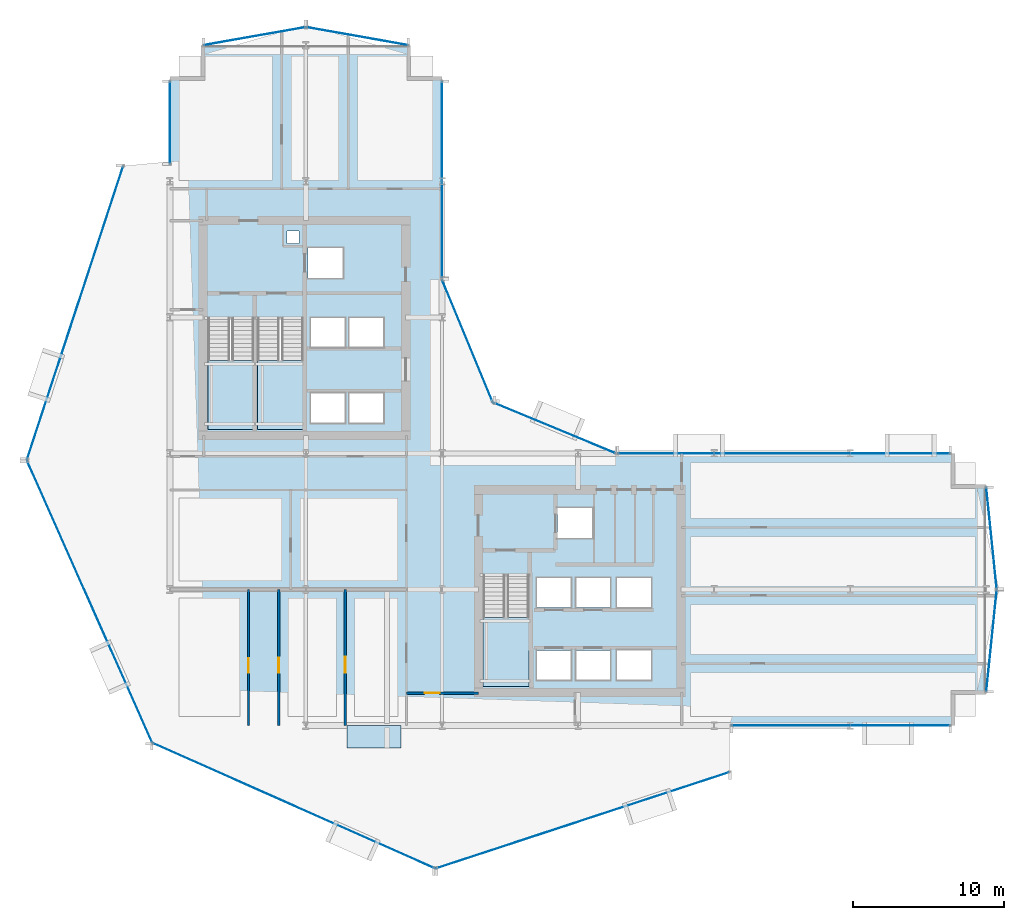
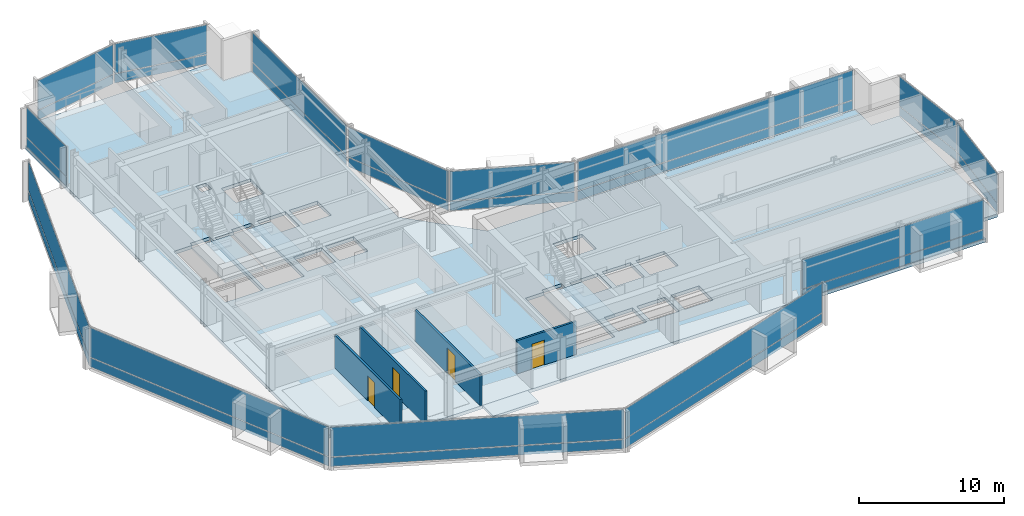
# One storey, part 26 of 34: 28 plates, 5 slabs, 4 doors, 4 walls, 4 openings, 17 elements without a shape of their own.
"""IFC4 building model written with IfcOpenShell, lengths in metres."""

from ifc_helpers import new_model, si_unit, direction, frame, frame_2d, origin, origin_2d, place, context, subcontext, project, spatial, polyline, rectangle, outline, extrude, material, layer, layer_set, type_object, element, fill, aggregate, save


model = new_model("IFC4")

# Units and contexts
model_context = context("Model", 3, precision=1e-05, world=origin(), true_north=direction((0.0, 1.0)))
body_context = subcontext(model_context, "Body", "Model", "MODEL_VIEW")
ifc_project = project(units=[si_unit("LENGTHUNIT", "METRE"), si_unit("AREAUNIT", "SQUARE_METRE"), si_unit("VOLUMEUNIT", "CUBIC_METRE"), si_unit("PLANEANGLEUNIT", "RADIAN"), si_unit("MASSUNIT", "GRAM", prefix="KILO")], contexts=[model_context])

# Site, building, storey
site_placement = place(None, origin())
site = spatial("IfcSite", under=ifc_project, at=site_placement, CompositionType="ELEMENT")
building_placement = place(site_placement, origin())
building = spatial("IfcBuilding", under=site, at=building_placement, Name="Solvaryn Broadcast Tower", CompositionType="ELEMENT")
storey_placement = place(building_placement, frame((0.0, 0.0, 54.5)))
storey = spatial("IfcBuildingStorey", under=building, at=storey_placement, Name="L12", CompositionType="ELEMENT", Elevation=54.5)

# Curtain wall, plates
ifc_material_1 = material(Name="Aluminium and Terracotta Unitised Curtain Wall", Category="masonry")
ifc_layer_1 = layer(ifc_material_1, 0.199951171875)
ifc_layer_set_1 = layer_set([ifc_layer_1], Name="CW-SYS2-LOWMID")
curtain_wall_type = type_object("IfcCurtainWallType", Name="CW-SYS2-LOWMID", PredefinedType="NOTDEFINED", material=ifc_layer_set_1)
curtain_wall_1_placement = place(storey_placement, origin())
curtain_wall_1 = element("IfcCurtainWall", 1, at=curtain_wall_1_placement, inside=storey, type_object=curtain_wall_type, Name="L12 Curtain Wall DR1", PredefinedType="NOTDEFINED")
ifc_material_2 = material(Name="Kiln-Fired Architectural Terracotta Spandrel", Category="masonry")
ifc_layer_2 = layer(ifc_material_2, 0.048095703125)
ifc_layer_set_2 = layer_set([ifc_layer_2], Name="CW-PNL-TERRACOTTA")
plate_type = type_object("IfcPlateType", Name="CW-PNL-TERRACOTTA", PredefinedType="CURTAIN_PANEL", material=ifc_layer_set_2)
plate_1_placement = place(storey_placement, frame((2.72607421875, 36.2880859375, 0.06005859375), z_axis=(0.0, 0.0, 1.0), x_axis=(-0.311594044587, -0.950215318429, 0.0)))
plate_1 = element("IfcPlate", 2, at=plate_1_placement, type_object=plate_type, Name="CWS2 panel 1.1", PredefinedType="CURTAIN_PANEL", context=body_context, shape_type="SweptSolid", body=[
    extrude(rectangle(XDim=20.35546875, YDim=0.028076171875, at=origin_2d()), origin(), (0.0, 0.0, 1.0), 0.760009765625),
])
plate_2_placement = place(storey_placement, frame((2.72607421875, 36.2880859375, 0.880126953125), z_axis=(0.0, 0.0, 1.0), x_axis=(-0.311594044587, -0.950215318429, 0.0)))
plate_2 = element("IfcPlate", 3, at=plate_2_placement, type_object=plate_type, Name="CWS2 panel 1.2", PredefinedType="CURTAIN_PANEL", context=body_context, shape_type="SweptSolid", body=[
    extrude(rectangle(XDim=20.35546875, YDim=0.028076171875, at=origin_2d()), origin(), (0.0, 0.0, 1.0), 2.47998046875),
])
aggregate(curtain_wall_1, [plate_1, plate_2])

curtain_wall_2_placement = place(storey_placement, origin())
curtain_wall_2 = element("IfcCurtainWall", 4, at=curtain_wall_2_placement, inside=storey, type_object=curtain_wall_type, Name="L12 Curtain Wall DR2", PredefinedType="NOTDEFINED")
plate_3_placement = place(storey_placement, frame((3.69140625, 17.20361328125, 0.06005859375), z_axis=(0.0, 0.0, 1.0), x_axis=(0.405898286554, -0.913918257271, 0.0)))
plate_3 = element("IfcPlate", 5, at=plate_3_placement, type_object=plate_type, Name="CWS2 panel 1.1", PredefinedType="CURTAIN_PANEL", context=body_context, shape_type="SweptSolid", body=[
    extrude(rectangle(XDim=20.35546875, YDim=0.028076171875, at=origin_2d()), origin(), (0.0, 0.0, 1.0), 0.760009765625),
])
plate_4_placement = place(storey_placement, frame((3.69140625, 17.20361328125, 0.880126953125), z_axis=(0.0, 0.0, 1.0), x_axis=(0.405898286554, -0.913918257271, 0.0)))
plate_4 = element("IfcPlate", 6, at=plate_4_placement, type_object=plate_type, Name="CWS2 panel 1.2", PredefinedType="CURTAIN_PANEL", context=body_context, shape_type="SweptSolid", body=[
    extrude(rectangle(XDim=20.35546875, YDim=0.028076171875, at=origin_2d()), origin(), (0.0, 0.0, 1.0), 2.47998046875),
])
aggregate(curtain_wall_2, [plate_3, plate_4])

curtain_wall_3_placement = place(storey_placement, origin())
curtain_wall_3 = element("IfcCurtainWall", 7, at=curtain_wall_3_placement, inside=storey, type_object=curtain_wall_type, Name="L12 Curtain Wall DR3", PredefinedType="NOTDEFINED")
plate_5_placement = place(storey_placement, frame((17.20361328125, 3.69140625, 0.06005859375), z_axis=(0.0, 0.0, 1.0), x_axis=(0.913918257271, -0.405898286554, 0.0)))
plate_5 = element("IfcPlate", 8, at=plate_5_placement, type_object=plate_type, Name="CWS2 panel 1.1", PredefinedType="CURTAIN_PANEL", context=body_context, shape_type="SweptSolid", body=[
    extrude(rectangle(XDim=20.35546875, YDim=0.028076171875, at=origin_2d()), origin(), (0.0, 0.0, 1.0), 0.760009765625),
])
plate_6_placement = place(storey_placement, frame((17.20361328125, 3.69140625, 0.880126953125), z_axis=(0.0, 0.0, 1.0), x_axis=(0.913918257271, -0.405898286554, 0.0)))
plate_6 = element("IfcPlate", 9, at=plate_6_placement, type_object=plate_type, Name="CWS2 panel 1.2", PredefinedType="CURTAIN_PANEL", context=body_context, shape_type="SweptSolid", body=[
    extrude(rectangle(XDim=20.35546875, YDim=0.028076171875, at=origin_2d()), origin(), (0.0, 0.0, 1.0), 2.47998046875),
])
aggregate(curtain_wall_3, [plate_5, plate_6])

curtain_wall_4_placement = place(storey_placement, origin())
curtain_wall_4 = element("IfcCurtainWall", 10, at=curtain_wall_4_placement, inside=storey, type_object=curtain_wall_type, Name="L12 Curtain Wall DR4", PredefinedType="NOTDEFINED")
plate_7_placement = place(storey_placement, frame((36.2880859375, 2.72607421875, 0.06005859375), z_axis=(0.0, 0.0, 1.0), x_axis=(0.950215318429, 0.311594044587, 0.0)))
plate_7 = element("IfcPlate", 11, at=plate_7_placement, type_object=plate_type, Name="CWS2 panel 1.1", PredefinedType="CURTAIN_PANEL", context=body_context, shape_type="SweptSolid", body=[
    extrude(rectangle(XDim=20.35546875, YDim=0.028076171875, at=origin_2d()), origin(), (0.0, 0.0, 1.0), 0.760009765625),
])
plate_8_placement = place(storey_placement, frame((36.2880859375, 2.72607421875, 0.880126953125), z_axis=(0.0, 0.0, 1.0), x_axis=(0.950215318429, 0.311594044587, 0.0)))
plate_8 = element("IfcPlate", 12, at=plate_8_placement, type_object=plate_type, Name="CWS2 panel 1.2", PredefinedType="CURTAIN_PANEL", context=body_context, shape_type="SweptSolid", body=[
    extrude(rectangle(XDim=20.35546875, YDim=0.028076171875, at=origin_2d()), origin(), (0.0, 0.0, 1.0), 2.47998046875),
])
aggregate(curtain_wall_4, [plate_7, plate_8])

curtain_wall_5_placement = place(storey_placement, origin())
curtain_wall_5 = element("IfcCurtainWall", 13, at=curtain_wall_5_placement, inside=storey, type_object=curtain_wall_type, Name="L12 Curtain Wall W2", PredefinedType="NOTDEFINED")
plate_9_placement = place(storey_placement, frame((9.0, 48.883056640625, 0.06005859375), z_axis=(0.0, 0.0, 1.0), x_axis=(0.0, 1.0, 0.0)))
plate_9 = element("IfcPlate", 14, at=plate_9_placement, type_object=plate_type, Name="CWS2 panel 1.1", PredefinedType="CURTAIN_PANEL", context=body_context, shape_type="SweptSolid", body=[
    extrude(rectangle(XDim=5.4140625, YDim=0.028076171875, at=origin_2d()), origin(), (0.0, 0.0, 1.0), 0.760009765625),
])
plate_10_placement = place(storey_placement, frame((9.0, 48.883056640625, 0.880126953125), z_axis=(0.0, 0.0, 1.0), x_axis=(0.0, 1.0, 0.0)))
plate_10 = element("IfcPlate", 15, at=plate_10_placement, type_object=plate_type, Name="CWS2 panel 1.2", PredefinedType="CURTAIN_PANEL", context=body_context, shape_type="SweptSolid", body=[
    extrude(rectangle(XDim=5.4140625, YDim=0.028076171875, at=origin_2d()), origin(), (0.0, 0.0, 1.0), 2.47998046875),
])
aggregate(curtain_wall_5, [plate_9, plate_10])

curtain_wall_6_placement = place(storey_placement, origin())
curtain_wall_6 = element("IfcCurtainWall", 16, at=curtain_wall_6_placement, inside=storey, type_object=curtain_wall_type, Name="L12 Curtain Wall IV", PredefinedType="NOTDEFINED")
plate_11_placement = place(storey_placement, frame((27.0, 45.125, 0.06005859375), z_axis=(0.0, 0.0, 1.0), x_axis=(0.0, -1.0, 0.0)))
plate_11 = element("IfcPlate", 17, at=plate_11_placement, type_object=plate_type, Name="CWS2 panel 1.1", PredefinedType="CURTAIN_PANEL", context=body_context, shape_type="SweptSolid", body=[
    extrude(rectangle(XDim=12.929931640625, YDim=0.028076171875, at=origin_2d()), origin(), (0.0, 0.0, 1.0), 0.760009765625),
])
plate_12_placement = place(storey_placement, frame((27.0, 45.125, 0.880126953125), z_axis=(0.0, 0.0, 1.0), x_axis=(0.0, -1.0, 0.0)))
plate_12 = element("IfcPlate", 18, at=plate_12_placement, type_object=plate_type, Name="CWS2 panel 1.2", PredefinedType="CURTAIN_PANEL", context=body_context, shape_type="SweptSolid", body=[
    extrude(rectangle(XDim=12.929931640625, YDim=0.028076171875, at=origin_2d()), origin(), (0.0, 0.0, 1.0), 2.47998046875),
])
aggregate(curtain_wall_6, [plate_11, plate_12])

curtain_wall_7_placement = place(storey_placement, origin())
curtain_wall_7 = element("IfcCurtainWall", 19, at=curtain_wall_7_placement, inside=storey, type_object=curtain_wall_type, Name="L12 Curtain Wall CN1", PredefinedType="NOTDEFINED")
plate_13_placement = place(storey_placement, frame((34.43408203125, 28.68408203125, 0.06005859375), z_axis=(0.0, 0.0, 1.0), x_axis=(-0.923894983957, 0.382646127145, 0.0)))
plate_13 = element("IfcPlate", 20, at=plate_13_placement, type_object=plate_type, Name="CWS2 panel 1.1", PredefinedType="CURTAIN_PANEL", context=body_context, shape_type="SweptSolid", body=[
    extrude(rectangle(XDim=8.681884765625, YDim=0.028076171875, at=origin_2d()), origin(), (0.0, 0.0, 1.0), 0.760009765625),
])
plate_14_placement = place(storey_placement, frame((34.43408203125, 28.68408203125, 0.880126953125), z_axis=(0.0, 0.0, 1.0), x_axis=(-0.923894983957, 0.382646127145, 0.0)))
plate_14 = element("IfcPlate", 21, at=plate_14_placement, type_object=plate_type, Name="CWS2 panel 1.2", PredefinedType="CURTAIN_PANEL", context=body_context, shape_type="SweptSolid", body=[
    extrude(rectangle(XDim=8.681884765625, YDim=0.028076171875, at=origin_2d()), origin(), (0.0, 0.0, 1.0), 2.47998046875),
])
aggregate(curtain_wall_7, [plate_13, plate_14])

curtain_wall_8_placement = place(storey_placement, origin())
curtain_wall_8 = element("IfcCurtainWall", 22, at=curtain_wall_8_placement, inside=storey, type_object=curtain_wall_type, Name="L12 Curtain Wall CN2", PredefinedType="NOTDEFINED")
plate_15_placement = place(storey_placement, frame((28.68408203125, 34.43408203125, 0.06005859375), z_axis=(0.0, 0.0, 1.0), x_axis=(-0.382646127145, 0.923894983957, 0.0)))
plate_15 = element("IfcPlate", 23, at=plate_15_placement, type_object=plate_type, Name="CWS2 panel 1.1", PredefinedType="CURTAIN_PANEL", context=body_context, shape_type="SweptSolid", body=[
    extrude(rectangle(XDim=8.681884765625, YDim=0.028076171875, at=origin_2d()), origin(), (0.0, 0.0, 1.0), 0.760009765625),
])
plate_16_placement = place(storey_placement, frame((28.68408203125, 34.43408203125, 0.880126953125), z_axis=(0.0, 0.0, 1.0), x_axis=(-0.382646127145, 0.923894983957, 0.0)))
plate_16 = element("IfcPlate", 24, at=plate_16_placement, type_object=plate_type, Name="CWS2 panel 1.2", PredefinedType="CURTAIN_PANEL", context=body_context, shape_type="SweptSolid", body=[
    extrude(rectangle(XDim=8.681884765625, YDim=0.028076171875, at=origin_2d()), origin(), (0.0, 0.0, 1.0), 2.47998046875),
])
aggregate(curtain_wall_8, [plate_15, plate_16])

curtain_wall_9_placement = place(storey_placement, origin())
curtain_wall_9 = element("IfcCurtainWall", 25, at=curtain_wall_9_placement, inside=storey, type_object=curtain_wall_type, Name="L12 Curtain Wall S2", PredefinedType="NOTDEFINED")
plate_17_placement = place(storey_placement, frame((53.383056640625, 9.0, 0.06005859375), z_axis=(0.0, 0.0, 1.0), x_axis=(1.0, 0.0, 0.0)))
plate_17 = element("IfcPlate", 26, at=plate_17_placement, type_object=plate_type, Name="CWS2 panel 1.1", PredefinedType="CURTAIN_PANEL", context=body_context, shape_type="SweptSolid", body=[
    extrude(rectangle(XDim=14.4140625, YDim=0.028076171875, at=origin_2d()), origin(), (0.0, 0.0, 1.0), 0.760009765625),
])
plate_18_placement = place(storey_placement, frame((53.383056640625, 9.0, 0.880126953125), z_axis=(0.0, 0.0, 1.0), x_axis=(1.0, 0.0, 0.0)))
plate_18 = element("IfcPlate", 27, at=plate_18_placement, type_object=plate_type, Name="CWS2 panel 1.2", PredefinedType="CURTAIN_PANEL", context=body_context, shape_type="SweptSolid", body=[
    extrude(rectangle(XDim=14.4140625, YDim=0.028076171875, at=origin_2d()), origin(), (0.0, 0.0, 1.0), 2.47998046875),
])
aggregate(curtain_wall_9, [plate_17, plate_18])

curtain_wall_10_placement = place(storey_placement, origin())
curtain_wall_10 = element("IfcCurtainWall", 28, at=curtain_wall_10_placement, inside=storey, type_object=curtain_wall_type, Name="L12 Curtain Wall NT1", PredefinedType="NOTDEFINED")
plate_19_placement = place(storey_placement, frame((21.39990234375, 54.60009765625, 0.06005859375), z_axis=(0.0, 0.0, 1.0), x_axis=(-0.984783558819, 0.173785333901, 0.0)))
plate_19 = element("IfcPlate", 29, at=plate_19_placement, type_object=plate_type, Name="CWS2 panel 1.1", PredefinedType="CURTAIN_PANEL", context=body_context, shape_type="SweptSolid", body=[
    extrude(rectangle(XDim=6.78515625, YDim=0.028076171875, at=origin_2d()), origin(), (0.0, 0.0, 1.0), 0.760009765625),
])
plate_20_placement = place(storey_placement, frame((21.39990234375, 54.60009765625, 0.880126953125), z_axis=(0.0, 0.0, 1.0), x_axis=(-0.984783558819, 0.173785333901, 0.0)))
plate_20 = element("IfcPlate", 30, at=plate_20_placement, type_object=plate_type, Name="CWS2 panel 1.2", PredefinedType="CURTAIN_PANEL", context=body_context, shape_type="SweptSolid", body=[
    extrude(rectangle(XDim=6.78515625, YDim=0.028076171875, at=origin_2d()), origin(), (0.0, 0.0, 1.0), 2.47998046875),
])
aggregate(curtain_wall_10, [plate_19, plate_20])

curtain_wall_11_placement = place(storey_placement, origin())
curtain_wall_11 = element("IfcCurtainWall", 31, at=curtain_wall_11_placement, inside=storey, type_object=curtain_wall_type, Name="L12 Curtain Wall NT2", PredefinedType="NOTDEFINED")
plate_21_placement = place(storey_placement, frame((14.60009765625, 54.60009765625, 0.06005859375), z_axis=(0.0, 0.0, 1.0), x_axis=(-0.984783558819, -0.173785333901, 0.0)))
plate_21 = element("IfcPlate", 32, at=plate_21_placement, type_object=plate_type, Name="CWS2 panel 1.1", PredefinedType="CURTAIN_PANEL", context=body_context, shape_type="SweptSolid", body=[
    extrude(rectangle(XDim=6.78515625, YDim=0.028076171875, at=origin_2d()), origin(), (0.0, 0.0, 1.0), 0.760009765625),
])
plate_22_placement = place(storey_placement, frame((14.60009765625, 54.60009765625, 0.880126953125), z_axis=(0.0, 0.0, 1.0), x_axis=(-0.984783558819, -0.173785333901, 0.0)))
plate_22 = element("IfcPlate", 33, at=plate_22_placement, type_object=plate_type, Name="CWS2 panel 1.2", PredefinedType="CURTAIN_PANEL", context=body_context, shape_type="SweptSolid", body=[
    extrude(rectangle(XDim=6.78515625, YDim=0.028076171875, at=origin_2d()), origin(), (0.0, 0.0, 1.0), 2.47998046875),
])
aggregate(curtain_wall_11, [plate_21, plate_22])

curtain_wall_12_placement = place(storey_placement, origin())
curtain_wall_12 = element("IfcCurtainWall", 34, at=curtain_wall_12_placement, inside=storey, type_object=curtain_wall_type, Name="L12 Curtain Wall ET1", PredefinedType="NOTDEFINED")
plate_23_placement = place(storey_placement, frame((63.35009765625, 21.39990234375, 0.06005859375), z_axis=(0.0, 0.0, 1.0), x_axis=(0.10240004548, -0.99474329889, 0.0)))
plate_23 = element("IfcPlate", 35, at=plate_23_placement, type_object=plate_type, Name="CWS2 panel 1.1", PredefinedType="CURTAIN_PANEL", context=body_context, shape_type="SweptSolid", body=[
    extrude(rectangle(XDim=6.7158203125, YDim=0.028076171875, at=origin_2d()), origin(), (0.0, 0.0, 1.0), 0.760009765625),
])
plate_24_placement = place(storey_placement, frame((63.35009765625, 21.39990234375, 0.880126953125), z_axis=(0.0, 0.0, 1.0), x_axis=(0.10240004548, -0.99474329889, 0.0)))
plate_24 = element("IfcPlate", 36, at=plate_24_placement, type_object=plate_type, Name="CWS2 panel 1.2", PredefinedType="CURTAIN_PANEL", context=body_context, shape_type="SweptSolid", body=[
    extrude(rectangle(XDim=6.7158203125, YDim=0.028076171875, at=origin_2d()), origin(), (0.0, 0.0, 1.0), 2.47998046875),
])
aggregate(curtain_wall_12, [plate_23, plate_24])

curtain_wall_13_placement = place(storey_placement, origin())
curtain_wall_13 = element("IfcCurtainWall", 37, at=curtain_wall_13_placement, inside=storey, type_object=curtain_wall_type, Name="L12 Curtain Wall ET2", PredefinedType="NOTDEFINED")
plate_25_placement = place(storey_placement, frame((63.35009765625, 14.60009765625, 0.06005859375), z_axis=(0.0, 0.0, 1.0), x_axis=(-0.10240004548, -0.99474329889, 0.0)))
plate_25 = element("IfcPlate", 38, at=plate_25_placement, type_object=plate_type, Name="CWS2 panel 1.1", PredefinedType="CURTAIN_PANEL", context=body_context, shape_type="SweptSolid", body=[
    extrude(rectangle(XDim=6.7158203125, YDim=0.028076171875, at=origin_2d()), origin(), (0.0, 0.0, 1.0), 0.760009765625),
])
plate_26_placement = place(storey_placement, frame((63.35009765625, 14.60009765625, 0.880126953125), z_axis=(0.0, 0.0, 1.0), x_axis=(-0.10240004548, -0.99474329889, 0.0)))
plate_26 = element("IfcPlate", 39, at=plate_26_placement, type_object=plate_type, Name="CWS2 panel 1.2", PredefinedType="CURTAIN_PANEL", context=body_context, shape_type="SweptSolid", body=[
    extrude(rectangle(XDim=6.7158203125, YDim=0.028076171875, at=origin_2d()), origin(), (0.0, 0.0, 1.0), 2.47998046875),
])
aggregate(curtain_wall_13, [plate_25, plate_26])

curtain_wall_14_placement = place(storey_placement, origin())
curtain_wall_14 = element("IfcCurtainWall", 40, at=curtain_wall_14_placement, inside=storey, type_object=curtain_wall_type, Name="L12 Curtain Wall IH", PredefinedType="NOTDEFINED")
plate_27_placement = place(storey_placement, frame((49.625, 27.0, 0.06005859375), z_axis=(0.0, 0.0, 1.0), x_axis=(1.0, 0.0, 0.0)))
plate_27 = element("IfcPlate", 41, at=plate_27_placement, type_object=plate_type, Name="CWS2 panel 1.1", PredefinedType="CURTAIN_PANEL", context=body_context, shape_type="SweptSolid", body=[
    extrude(rectangle(XDim=21.929931640625, YDim=0.028076171875, at=origin_2d()), origin(), (0.0, 0.0, 1.0), 0.760009765625),
])
plate_28_placement = place(storey_placement, frame((49.625, 27.0, 0.880126953125), z_axis=(0.0, 0.0, 1.0), x_axis=(1.0, 0.0, 0.0)))
plate_28 = element("IfcPlate", 42, at=plate_28_placement, type_object=plate_type, Name="CWS2 panel 1.2", PredefinedType="CURTAIN_PANEL", context=body_context, shape_type="SweptSolid", body=[
    extrude(rectangle(XDim=21.929931640625, YDim=0.028076171875, at=origin_2d()), origin(), (0.0, 0.0, 1.0), 2.47998046875),
])
aggregate(curtain_wall_14, [plate_27, plate_28])

# Slab
ifc_material_3 = material(Name="Concrete f'c 60 MPa", Category="concrete")
ifc_layer_3 = layer(ifc_material_3, 0.2099609375)
ifc_layer_set_3 = layer_set([ifc_layer_3], Name="SL-BAYBOX-210")
slab_type_1 = type_object("IfcSlabType", Name="SL-BAYBOX-210", PredefinedType="FLOOR", material=ifc_layer_set_3)
slab_1_placement = place(storey_placement, frame((0.0, 0.0, -0.2099609375)))
element("IfcSlab", 43, at=slab_1_placement, inside=storey, type_object=slab_type_1, Name="L12 Projecting Bay-Box Slab 1", PredefinedType="FLOOR", context=body_context, shape_type="SweptSolid", body=[
    extrude(outline(polyline([(20.699951171875, 7.5), (24.300048828125, 7.5), (24.300048828125, 9.0), (20.699951171875, 9.0), (20.699951171875, 7.5)])), origin(), (0.0, 0.0, 1.0), 0.2099609375),
])

# Stair, slab
ifc_material_4 = material(Name="Concrete f'c 60 MPa", Category="concrete")
stair_type = type_object("IfcStairType", Name="ST-CORE", PredefinedType="HALF_TURN_STAIR", material=ifc_material_4)
stair_1_placement = place(storey_placement, origin())
stair_1 = element("IfcStair", 44, at=stair_1_placement, inside=storey, type_object=stair_type, Name="L12 ST1", PredefinedType="HALF_TURN_STAIR")
ifc_material_5 = material(Name="Concrete f'c 60 MPa", Category="concrete")
ifc_layer_4 = layer(ifc_material_5, 0.199951171875)
ifc_layer_set_4 = layer_set([ifc_layer_4], Name="SL-LANDING-200")
slab_type_2 = type_object("IfcSlabType", Name="SL-LANDING-200", PredefinedType="LANDING", material=ifc_layer_set_4)
slab_2_placement = place(storey_placement, frame((0.0, 0.0, 1.64990234375)))
slab_2 = element("IfcSlab", 45, at=slab_2_placement, type_object=slab_type_2, Name="ST1 landing 1", PredefinedType="LANDING", context=body_context, shape_type="SweptSolid", body=[
    extrude(outline(polyline([(11.52001953125, 33.159912109375), (11.52001953125, 28.60009765625), (14.550048828125, 28.60009765625), (14.550048828125, 33.159912109375), (11.52001953125, 33.159912109375)])), origin(), (0.0, 0.0, 1.0), 0.2001953125),
])
aggregate(stair_1, [slab_2])

stair_2_placement = place(storey_placement, origin())
stair_2 = element("IfcStair", 46, at=stair_2_placement, inside=storey, type_object=stair_type, Name="L12 ST2", PredefinedType="HALF_TURN_STAIR")
slab_3_placement = place(storey_placement, frame((0.0, 0.0, 1.64990234375)))
slab_3 = element("IfcSlab", 47, at=slab_3_placement, type_object=slab_type_2, Name="ST2 landing 1", PredefinedType="LANDING", context=body_context, shape_type="SweptSolid", body=[
    extrude(outline(polyline([(14.800048828125, 33.159912109375), (14.800048828125, 28.60009765625), (17.830078125, 28.60009765625), (17.830078125, 33.159912109375), (14.800048828125, 33.159912109375)])), origin(), (0.0, 0.0, 1.0), 0.2001953125),
])
aggregate(stair_2, [slab_3])

stair_3_placement = place(storey_placement, origin())
stair_3 = element("IfcStair", 48, at=stair_3_placement, inside=storey, type_object=stair_type, Name="L12 ST3", PredefinedType="HALF_TURN_STAIR")
slab_4_placement = place(storey_placement, frame((0.0, 0.0, 1.64990234375)))
slab_4 = element("IfcSlab", 49, at=slab_4_placement, type_object=slab_type_2, Name="ST3 landing 1", PredefinedType="LANDING", context=body_context, shape_type="SweptSolid", body=[
    extrude(outline(polyline([(29.719970703125, 16.159912109375), (29.719970703125, 11.60009765625), (32.75, 11.60009765625), (32.75, 16.159912109375), (29.719970703125, 16.159912109375)])), origin(), (0.0, 0.0, 1.0), 0.2001953125),
])
aggregate(stair_3, [slab_4])

# Slab
ifc_material_6 = material(Name="Concrete f'c 60 MPa", Category="concrete")
ifc_layer_5 = layer(ifc_material_6, 0.280029296875)
ifc_layer_set_5 = layer_set([ifc_layer_5], Name="SL-TWR-280")
slab_type_3 = type_object("IfcSlabType", Name="SL-TWR-280", PredefinedType="FLOOR", material=ifc_layer_set_5)
slab_5_placement = place(storey_placement, frame((0.0, 0.0, -0.280029296875)))
element("IfcSlab", 50, at=slab_5_placement, inside=storey, type_object=slab_type_3, Name="L12 Structural Floor Slab", PredefinedType="FLOOR", context=body_context, shape_type="SweptSolid", body=[
    extrude(outline(polyline([(11.199951171875, 9.0), (60.800048828125, 9.0), (60.800048828125, 11.199951171875), (63.0, 11.199951171875), (63.0, 24.800048828125), (60.800048828125, 24.800048828125), (60.800048828125, 27.0), (31.5, 27.0), (27.0, 31.5), (27.0, 51.800048828125), (24.800048828125, 51.800048828125), (24.800048828125, 54.0), (11.199951171875, 54.0), (11.199951171875, 51.800048828125), (9.0, 51.800048828125), (9.0, 11.199951171875), (11.199951171875, 11.199951171875), (11.199951171875, 9.0)]), holes=[polyline([(11.52001953125, 28.60009765625), (14.550048828125, 28.60009765625), (14.550048828125, 35.9599609375), (12.97998046875, 35.9599609375), (12.97998046875, 35.679931640625), (11.52001953125, 35.679931640625), (11.52001953125, 28.60009765625)]), polyline([(14.800048828125, 28.60009765625), (17.830078125, 28.60009765625), (17.830078125, 35.9599609375), (16.260009765625, 35.9599609375), (16.260009765625, 35.679931640625), (14.800048828125, 35.679931640625), (14.800048828125, 28.60009765625)]), polyline([(29.719970703125, 11.60009765625), (32.75, 11.60009765625), (32.75, 18.9599609375), (31.179931640625, 18.9599609375), (31.179931640625, 18.679931640625), (29.719970703125, 18.679931640625), (29.719970703125, 11.60009765625)]), polyline([(18.14990234375, 38.60009765625), (20.449951171875, 38.60009765625), (20.449951171875, 40.60009765625), (18.14990234375, 40.60009765625), (18.14990234375, 38.60009765625)]), polyline([(18.324951171875, 29.02490234375), (20.574951171875, 29.02490234375), (20.574951171875, 30.97509765625), (18.324951171875, 30.97509765625), (18.324951171875, 29.02490234375)]), polyline([(20.875, 29.02490234375), (23.125, 29.02490234375), (23.125, 30.97509765625), (20.875, 30.97509765625), (20.875, 29.02490234375)]), polyline([(18.324951171875, 34.02490234375), (20.574951171875, 34.02490234375), (20.574951171875, 35.97509765625), (18.324951171875, 35.97509765625), (18.324951171875, 34.02490234375)]), polyline([(20.875, 34.02490234375), (23.125, 34.02490234375), (23.125, 35.97509765625), (20.875, 35.97509765625), (20.875, 34.02490234375)]), polyline([(34.64990234375, 21.39990234375), (36.949951171875, 21.39990234375), (36.949951171875, 23.39990234375), (34.64990234375, 23.39990234375), (34.64990234375, 21.39990234375)]), polyline([(33.27490234375, 12.02490234375), (35.52490234375, 12.02490234375), (35.52490234375, 13.97509765625), (33.27490234375, 13.97509765625), (33.27490234375, 12.02490234375)]), polyline([(35.875, 12.02490234375), (38.125, 12.02490234375), (38.125, 13.97509765625), (35.875, 13.97509765625), (35.875, 12.02490234375)]), polyline([(33.27490234375, 16.824951171875), (35.52490234375, 16.824951171875), (35.52490234375, 18.77490234375), (33.27490234375, 18.77490234375), (33.27490234375, 16.824951171875)]), polyline([(35.875, 16.824951171875), (38.125, 16.824951171875), (38.125, 18.77490234375), (35.875, 18.77490234375), (35.875, 16.824951171875)]), polyline([(38.574951171875, 12.02490234375), (40.824951171875, 12.02490234375), (40.824951171875, 13.97509765625), (38.574951171875, 13.97509765625), (38.574951171875, 12.02490234375)]), polyline([(38.574951171875, 16.824951171875), (40.824951171875, 16.824951171875), (40.824951171875, 18.77490234375), (38.574951171875, 18.77490234375), (38.574951171875, 16.824951171875)]), polyline([(16.75, 40.89990234375), (17.550048828125, 40.89990234375), (17.550048828125, 41.699951171875), (16.75, 41.699951171875), (16.75, 40.89990234375)])]), origin(), (0.0, 0.0, 1.0), 0.280029296875),
])

# Wall, opening, door
ifc_material_7 = material(Name="Metal-Stud Gypsum Office Partition")
ifc_layer_6 = layer(ifc_material_7, 0.159912109375)
ifc_layer_set_6 = layer_set([ifc_layer_6], Name="IW-PART-160")
wall_type = type_object("IfcWallType", Name="IW-PART-160", PredefinedType="PARTITIONING", material=ifc_layer_set_6)
wall_1_placement = place(storey_placement, frame((14.199951171875, 9.0, 0.0), z_axis=(0.0, 0.0, 1.0), x_axis=(0.0, 1.0, 0.0)))
wall_1 = element("IfcWall", 51, at=wall_1_placement, inside=storey, type_object=wall_type, Name="L12 Interior Partition IW-L12-SWS-V1", PredefinedType="PARTITIONING", context=body_context, shape_type="SweptSolid", body=[
    extrude(rectangle(XDim=9.0, YDim=0.159912109375, at=frame_2d((4.5, 0.0))), origin(), (0.0, 0.0, 1.0), 2.7890625),
])
opening_1_placement = place(wall_1_placement, frame((3.5, 0.0, 0.0)))
opening_1 = element("IfcOpeningElement", 52, at=opening_1_placement, cuts=wall_1, Name="Opening ID01", PredefinedType="OPENING", context=body_context, shape_type="SweptSolid", body=[
    extrude(rectangle(XDim=0.949951171875, YDim=2.10009765625, at=frame_2d((0.47509765625, 1.050048828125))), frame((0.0, 0.090087890625, 0.0), z_axis=(0.0, -1.0, 0.0), x_axis=(1.0, 0.0, 0.0)), (0.0, 0.0, 1.0), 0.179931640625),
])
ifc_material_8 = material(Name="Flush Acoustic Steel and Timber Door Assembly", Category="steel")
door_type_1 = type_object("IfcDoorType", Name="ID-01-950X2100", OperationType="NOTDEFINED", PredefinedType="DOOR", material=ifc_material_8)
door_1_placement = place(opening_1_placement, origin())
door_1 = element("IfcDoor", 53, at=door_1_placement, inside=storey, type_object=door_type_1, Name="L12 Door DR-L12-SWS-1", OperationType="SINGLE_SWING_LEFT", OverallHeight=2.10009765625, OverallWidth=0.949951171875, PredefinedType="DOOR", context=body_context, shape_type="SweptSolid", body=[
    extrude(rectangle(XDim=0.949951171875, YDim=2.10009765625, at=frame_2d((0.47509765625, 1.050048828125))), frame((0.0, 0.02490234375, 0.0), z_axis=(0.0, -1.0, 0.0), x_axis=(1.0, 0.0, 0.0)), (0.0, 0.0, 1.0), 0.050048828125),
])
fill(opening_1, door_1)

wall_2_placement = place(storey_placement, frame((16.199951171875, 9.0, 0.0), z_axis=(0.0, 0.0, 1.0), x_axis=(0.0, 1.0, 0.0)))
wall_2 = element("IfcWall", 54, at=wall_2_placement, inside=storey, type_object=wall_type, Name="L12 Interior Partition IW-L12-SWS-V2", PredefinedType="PARTITIONING", context=body_context, shape_type="SweptSolid", body=[
    extrude(rectangle(XDim=9.0, YDim=0.159912109375, at=frame_2d((4.5, 0.0))), origin(), (0.0, 0.0, 1.0), 2.7890625),
])
opening_2_placement = place(wall_2_placement, frame((3.5, 0.0, 0.0)))
opening_2 = element("IfcOpeningElement", 55, at=opening_2_placement, cuts=wall_2, Name="Opening ID02", PredefinedType="OPENING", context=body_context, shape_type="SweptSolid", body=[
    extrude(rectangle(XDim=1.0, YDim=2.10009765625, at=frame_2d((0.5, 1.050048828125))), frame((0.0, 0.090087890625, 0.0), z_axis=(0.0, -1.0, 0.0), x_axis=(1.0, 0.0, 0.0)), (0.0, 0.0, 1.0), 0.179931640625),
])
ifc_material_9 = material(Name="Flush Acoustic Steel and Timber Door Assembly", Category="steel")
door_type_2 = type_object("IfcDoorType", Name="ID-02-1000X2100", OperationType="NOTDEFINED", PredefinedType="DOOR", material=ifc_material_9)
door_2_placement = place(opening_2_placement, origin())
door_2 = element("IfcDoor", 56, at=door_2_placement, inside=storey, type_object=door_type_2, Name="L12 Door DR-L12-SWS-2", OperationType="SINGLE_SWING_RIGHT", OverallHeight=2.10009765625, OverallWidth=1.0, PredefinedType="DOOR", context=body_context, shape_type="SweptSolid", body=[
    extrude(rectangle(XDim=1.0, YDim=2.10009765625, at=frame_2d((0.5, 1.050048828125))), frame((0.0, 0.02490234375, 0.0), z_axis=(0.0, -1.0, 0.0), x_axis=(1.0, 0.0, 0.0)), (0.0, 0.0, 1.0), 0.050048828125),
])
fill(opening_2, door_2)

wall_3_placement = place(storey_placement, frame((20.60009765625, 9.0, 0.0), z_axis=(0.0, 0.0, 1.0), x_axis=(0.0, 1.0, 0.0)))
wall_3 = element("IfcWall", 57, at=wall_3_placement, inside=storey, type_object=wall_type, Name="L12 Interior Partition IW-L12-SWS-V3", PredefinedType="PARTITIONING", context=body_context, shape_type="SweptSolid", body=[
    extrude(rectangle(XDim=9.0, YDim=0.159912109375, at=frame_2d((4.5, 0.0))), origin(), (0.0, 0.0, 1.0), 2.626953125),
])
opening_3_placement = place(wall_3_placement, frame((3.5, 0.0, 0.0)))
opening_3 = element("IfcOpeningElement", 58, at=opening_3_placement, cuts=wall_3, Name="Opening ID03", PredefinedType="OPENING", context=body_context, shape_type="SweptSolid", body=[
    extrude(rectangle(XDim=1.050048828125, YDim=2.14990234375, at=frame_2d((0.52490234375, 1.074951171875))), frame((0.0, 0.090087890625, 0.0), z_axis=(0.0, -1.0, 0.0), x_axis=(1.0, 0.0, 0.0)), (0.0, 0.0, 1.0), 0.179931640625),
])
ifc_material_10 = material(Name="Flush Acoustic Steel and Timber Door Assembly", Category="steel")
door_type_3 = type_object("IfcDoorType", Name="ID-03-1050X2150", OperationType="NOTDEFINED", PredefinedType="DOOR", material=ifc_material_10)
door_3_placement = place(opening_3_placement, origin())
door_3 = element("IfcDoor", 59, at=door_3_placement, inside=storey, type_object=door_type_3, Name="L12 Door DR-L12-SWS-3", OperationType="SINGLE_SWING_LEFT", OverallHeight=2.14990234375, OverallWidth=1.050048828125, PredefinedType="DOOR", context=body_context, shape_type="SweptSolid", body=[
    extrude(rectangle(XDim=1.050048828125, YDim=2.14990234375, at=frame_2d((0.52490234375, 1.074951171875))), frame((0.0, 0.02490234375, 0.0), z_axis=(0.0, -1.0, 0.0), x_axis=(1.0, 0.0, 0.0)), (0.0, 0.0, 1.0), 0.050048828125),
])
fill(opening_3, door_3)

wall_4_placement = place(storey_placement, frame((24.64990234375, 11.14990234375, 0.0), z_axis=(0.0, 0.0, 1.0), x_axis=(1.0, 0.0, 0.0)))
wall_4 = element("IfcWall", 60, at=wall_4_placement, inside=storey, type_object=wall_type, Name="L12 Interior Partition IW-L12-SC-N", PredefinedType="PARTITIONING", context=body_context, shape_type="SweptSolid", body=[
    extrude(rectangle(XDim=4.75, YDim=0.159912109375, at=frame_2d((2.375, 0.0))), origin(), (0.0, 0.0, 1.0), 2.7919921875),
])
opening_4_placement = place(wall_4_placement, frame((1.199951171875, 0.0, 0.0)))
opening_4 = element("IfcOpeningElement", 61, at=opening_4_placement, cuts=wall_4, Name="Opening ID02", PredefinedType="OPENING", context=body_context, shape_type="SweptSolid", body=[
    extrude(rectangle(XDim=1.0, YDim=2.10009765625, at=frame_2d((0.5, 1.050048828125))), frame((0.0, 0.090087890625, 0.0), z_axis=(0.0, -1.0, 0.0), x_axis=(1.0, 0.0, 0.0)), (0.0, 0.0, 1.0), 0.179931640625),
])
door_4_placement = place(opening_4_placement, origin())
door_4 = element("IfcDoor", 62, at=door_4_placement, inside=storey, type_object=door_type_2, Name="L12 Door DR-L12-SC0", OperationType="SINGLE_SWING_LEFT", OverallHeight=2.10009765625, OverallWidth=1.0, PredefinedType="DOOR", context=body_context, shape_type="SweptSolid", body=[
    extrude(rectangle(XDim=1.0, YDim=2.10009765625, at=frame_2d((0.5, 1.050048828125))), frame((0.0, 0.02490234375, 0.0), z_axis=(0.0, -1.0, 0.0), x_axis=(1.0, 0.0, 0.0)), (0.0, 0.0, 1.0), 0.050048828125),
])
fill(opening_4, door_4)

save(model, "model.ifc")
